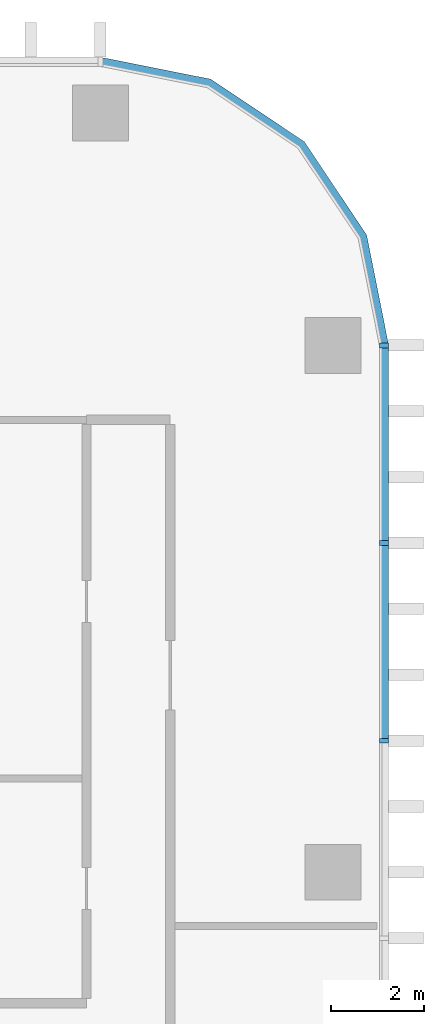
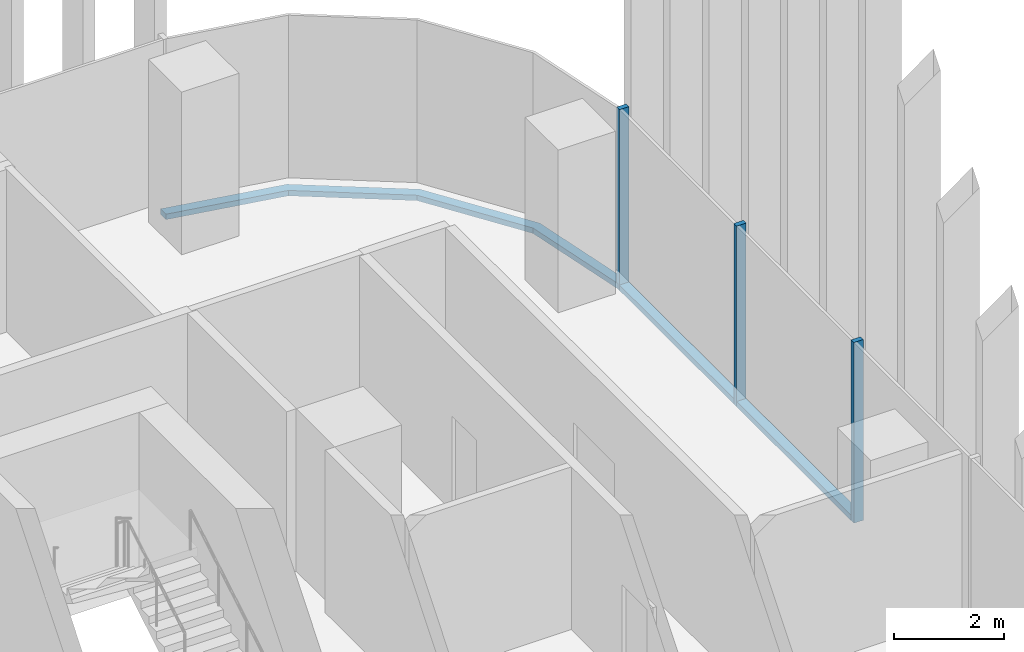
# One storey, part 5 of 16: 6 members, 2 elements without a shape of their own.
"""IFC4 building model written with IfcOpenShell, lengths in metres."""

from ifc_helpers import new_model, si_unit, direction, frame, origin, origin_2d, place, context, subcontext, project, spatial, polyline, rectangle, outline, extrude, material, material_profile, profile_set, type_object, element, aggregate, save


model = new_model("IFC4")

# Units and contexts
model_context = context("Model", 3, precision=1e-05, world=origin(), true_north=direction((0.0, 1.0)))
body_context = subcontext(model_context, "Body", "Model", "MODEL_VIEW")
ifc_project = project(units=[si_unit("LENGTHUNIT", "METRE"), si_unit("AREAUNIT", "SQUARE_METRE"), si_unit("VOLUMEUNIT", "CUBIC_METRE"), si_unit("PLANEANGLEUNIT", "RADIAN"), si_unit("MASSUNIT", "GRAM", prefix="KILO")], contexts=[model_context])

# Site, building, storey
site_placement = place(None, origin())
site = spatial("IfcSite", under=ifc_project, at=site_placement, CompositionType="ELEMENT")
building_placement = place(site_placement, origin())
building = spatial("IfcBuilding", under=site, at=building_placement, Name="Mopane Tessera Tower", CompositionType="ELEMENT")
storey_placement = place(building_placement, frame((0.0, 0.0, 181.0)))
storey = spatial("IfcBuildingStorey", under=building, at=storey_placement, Name="L37", CompositionType="ELEMENT", Elevation=181.0)

# Curtain wall, members
ifc_material_1 = material(Name="Aluminium frame", Category="aluminium")
curtain_wall_type = type_object("IfcCurtainWallType", Name="Unitised curtain wall", PredefinedType="NOTDEFINED", material=ifc_material_1)
curtain_wall_1_placement = place(storey_placement, origin())
curtain_wall_1 = element("IfcCurtainWall", 1, at=curtain_wall_1_placement, inside=storey, type_object=curtain_wall_type, Name="e:cw:L37:E:0", PredefinedType="NOTDEFINED")
ifc_material_2 = material(Name="Aluminium frame", Category="aluminium")
ifc_material_profile_1 = material_profile(ifc_material_2, rectangle(XDim=0.10009765625, YDim=0.199951171875, at=origin_2d()))
ifc_profile_set_1 = profile_set([ifc_material_profile_1], Name="Aluminium frame")
member_type_1 = type_object("IfcMemberType", Name="Aluminium mullion 100 x 200", PredefinedType="MULLION", material=ifc_profile_set_1)
member_1_placement = place(storey_placement, frame((26.300048828125, 8.5, -0.39990234375), z_axis=(0.0, 0.0, 1.0), x_axis=(0.0, 1.0, 0.0)))
member_1 = element("IfcMember", 2, at=member_1_placement, type_object=member_type_1, Name="e:cw:L37:E:0:mu6", PredefinedType="MULLION", context=body_context, shape_type="SweptSolid", body=[
    extrude(rectangle(XDim=0.10009765625, YDim=0.199951171875, at=origin_2d()), origin(), (0.0, 0.0, 1.0), 4.0),
])
member_2_placement = place(storey_placement, frame((26.300048828125, 12.75, -0.39990234375), z_axis=(0.0, 0.0, 1.0), x_axis=(0.0, 1.0, 0.0)))
member_2 = element("IfcMember", 3, at=member_2_placement, type_object=member_type_1, Name="e:cw:L37:E:0:mu7", PredefinedType="MULLION", context=body_context, shape_type="SweptSolid", body=[
    extrude(rectangle(XDim=0.10009765625, YDim=0.199951171875, at=origin_2d()), origin(), (0.0, 0.0, 1.0), 4.0),
])
member_3_placement = place(storey_placement, frame((26.300048828125, 17.0, -0.39990234375), z_axis=(0.0, 0.0, 1.0), x_axis=(0.0, 1.0, 0.0)))
member_3 = element("IfcMember", 4, at=member_3_placement, type_object=member_type_1, Name="e:cw:L37:E:0:mu8", PredefinedType="MULLION", context=body_context, shape_type="SweptSolid", body=[
    extrude(rectangle(XDim=0.10009765625, YDim=0.199951171875, at=origin_2d()), origin(), (0.0, 0.0, 1.0), 4.0),
])
ifc_material_3 = material(Name="Aluminium frame", Category="aluminium")
ifc_material_profile_2 = material_profile(ifc_material_3, rectangle(XDim=0.199951171875, YDim=0.1201171875, at=origin_2d()))
ifc_profile_set_2 = profile_set([ifc_material_profile_2], Name="Aluminium frame")
member_type_2 = type_object("IfcMemberType", Name="Aluminium transom 200 x 120", PredefinedType="USERDEFINED", material=ifc_profile_set_2)
member_4_placement = place(storey_placement, frame((26.300048828125, 8.550048828125, -0.340087890625), z_axis=(0.0, 1.0, 0.0), x_axis=(-1.0, 0.0, 0.0)))
member_4 = element("IfcMember", 5, at=member_4_placement, type_object=member_type_2, Name="e:cw:L37:E:0:tr6", ObjectType="TRANSOM", PredefinedType="USERDEFINED", context=body_context, shape_type="SweptSolid", body=[
    extrude(rectangle(XDim=0.199951171875, YDim=0.1201171875, at=origin_2d()), origin(), (0.0, 0.0, 1.0), 4.14990234375),
])
member_5_placement = place(storey_placement, frame((26.300048828125, 12.800048828125, -0.340087890625), z_axis=(0.0, 1.0, 0.0), x_axis=(-1.0, 0.0, 0.0)))
member_5 = element("IfcMember", 6, at=member_5_placement, type_object=member_type_2, Name="e:cw:L37:E:0:tr7", ObjectType="TRANSOM", PredefinedType="USERDEFINED", context=body_context, shape_type="SweptSolid", body=[
    extrude(rectangle(XDim=0.199951171875, YDim=0.1201171875, at=origin_2d()), origin(), (0.0, 0.0, 1.0), 4.14990234375),
])
aggregate(curtain_wall_1, [member_1, member_2, member_3, member_4, member_5])

# Curtain wall, member
curtain_wall_2_placement = place(storey_placement, origin())
curtain_wall_2 = element("IfcCurtainWall", 7, at=curtain_wall_2_placement, inside=storey, type_object=curtain_wall_type, Name="e:cw:L37:CE", PredefinedType="NOTDEFINED")
member_6_placement = place(storey_placement, frame((0.0, 0.0, -0.39990234375)))
member_6 = element("IfcMember", 8, at=member_6_placement, type_object=member_type_2, Name="e:cw:L37:CE:tr", ObjectType="TRANSOM", PredefinedType="USERDEFINED", context=body_context, shape_type="SweptSolid", body=[
    extrude(outline(polyline([(26.199951171875, 17.0), (25.7431640625, 19.296142578125), (24.442626953125, 21.24267578125), (22.49609375, 22.543212890625), (20.199951171875, 23.0), (20.199951171875, 23.199951171875), (22.57275390625, 22.72802734375), (24.583984375, 21.384033203125), (25.927978515625, 19.37255859375), (26.39990234375, 17.0), (26.199951171875, 17.0)])), origin(), (0.0, 0.0, 1.0), 0.119873046875),
])
aggregate(curtain_wall_2, [member_6])

save(model, "model.ifc")
